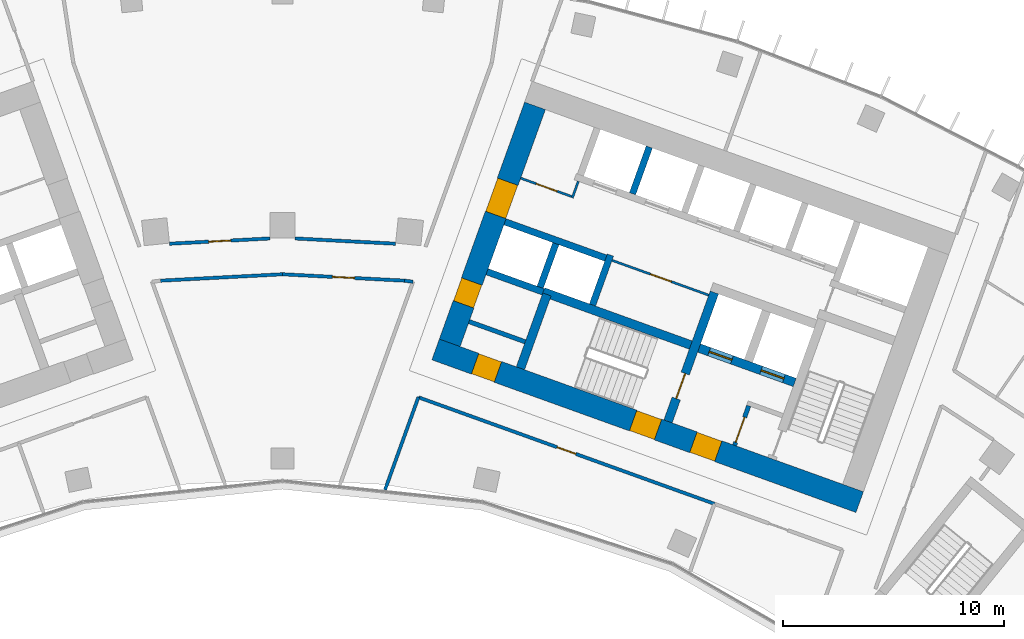
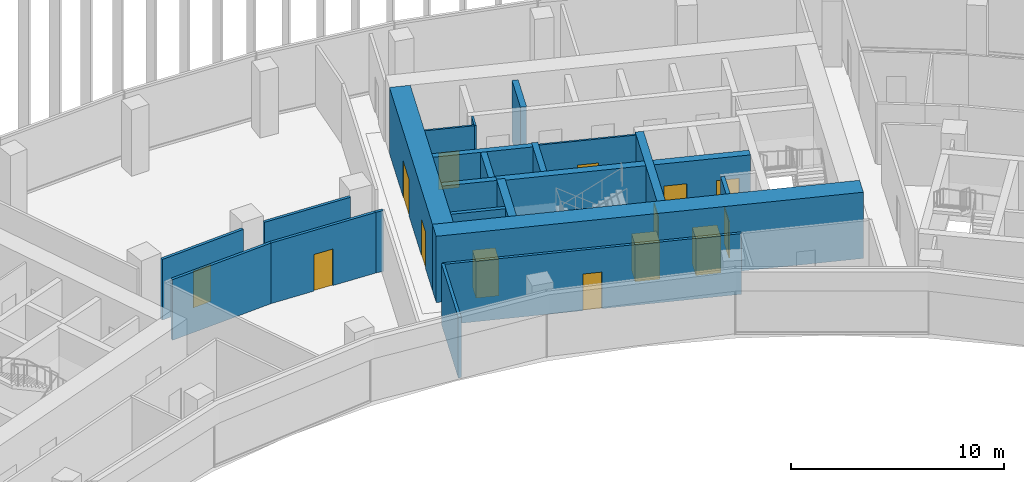
# One storey, part 15 of 19: 22 walls, 14 doors, 14 openings.
"""IFC4 building model written with IfcOpenShell, lengths in metres."""

from ifc_helpers import new_model, si_unit, direction, frame, frame_2d, origin, place, context, subcontext, project, spatial, rectangle, extrude, material, layer, layer_set, type_object, element, fill, save


model = new_model("IFC4")

# Units and contexts
model_context = context("Model", 3, precision=1e-05, world=origin(), true_north=direction((0.0, 1.0)))
body_context = subcontext(model_context, "Body", "Model", "MODEL_VIEW")
ifc_project = project(units=[si_unit("LENGTHUNIT", "METRE"), si_unit("AREAUNIT", "SQUARE_METRE"), si_unit("VOLUMEUNIT", "CUBIC_METRE"), si_unit("PLANEANGLEUNIT", "RADIAN"), si_unit("MASSUNIT", "GRAM", prefix="KILO")], contexts=[model_context])

# Site, building, storey
site_placement = place(None, origin())
site = spatial("IfcSite", under=ifc_project, at=site_placement, CompositionType="ELEMENT")
building_placement = place(site_placement, origin())
building = spatial("IfcBuilding", under=site, at=building_placement, Name="Stone Belt Terrace Tower", CompositionType="ELEMENT")
storey_placement = place(building_placement, frame((0.0, 0.0, 235.199951171875)))
storey = spatial("IfcBuildingStorey", under=building, at=storey_placement, Name="L57", CompositionType="ELEMENT", Elevation=235.199951171875)

# Wall, opening, door
ifc_material_1 = material(Name="Plasterboard partition")
ifc_layer_1 = layer(ifc_material_1, 0.10009765625)
ifc_layer_set_1 = layer_set([ifc_layer_1], Name="Core partition 100")
wall_type_1 = type_object("IfcWallType", Name="Core partition 100", PredefinedType="PARTITIONING", material=ifc_layer_set_1)
wall_1_placement = place(storey_placement, frame((19.29052734375, 51.829833984375, 0.0), z_axis=(0.0, 0.0, 1.0), x_axis=(-0.940930240745, 0.338600475563, 0.0)))
wall_1 = element("IfcWall", 1, at=wall_1_placement, inside=storey, type_object=wall_type_1, Name="Core B wall", PredefinedType="PARTITIONING", context=body_context, shape_type="SweptSolid", body=[
    extrude(rectangle(XDim=4.64990234375, YDim=0.10009765625, at=frame_2d((2.324951171875, 0.0))), origin(), (0.0, 0.0, 1.0), 3.47998046875),
])
opening_1_placement = place(wall_1_placement, frame((1.800048828125, 0.0, 0.0)))
opening_1 = element("IfcOpeningElement", 2, at=opening_1_placement, cuts=wall_1, Name="Opening L57-C13", PredefinedType="OPENING", context=body_context, shape_type="SweptSolid", body=[
    extrude(rectangle(XDim=1.0, YDim=2.10009765625, at=frame_2d((0.5, 1.050048828125))), frame((0.0, 0.06005859375, 0.0), z_axis=(0.0, -1.0, 0.0), x_axis=(1.0, 0.0, 0.0)), (0.0, 0.0, 1.0), 0.1201171875),
])
ifc_material_2 = material(Name="Timber door leaf", Category="wood")
door_type_1 = type_object("IfcDoorType", Name="Core room door 1000", OperationType="SINGLE_SWING_LEFT", PredefinedType="DOOR", material=ifc_material_2)
door_1_placement = place(opening_1_placement, origin())
door_1 = element("IfcDoor", 3, at=door_1_placement, inside=storey, type_object=door_type_1, Name="Door to Print and copy room core B", OperationType="SINGLE_SWING_RIGHT", OverallHeight=2.10009765625, OverallWidth=1.0, PredefinedType="DOOR", context=body_context, shape_type="SweptSolid", body=[
    extrude(rectangle(XDim=1.0, YDim=2.10009765625, at=frame_2d((0.5, 1.050048828125))), frame((0.0, 0.02490234375, 0.0), z_axis=(0.0, -1.0, 0.0), x_axis=(1.0, 0.0, 0.0)), (0.0, 0.0, 1.0), 0.050048828125),
])
fill(opening_1, door_1)

# Wall
wall_2_placement = place(storey_placement, frame((13.115966796875, 56.230712890625, 0.0), z_axis=(0.0, 0.0, 1.0), x_axis=(0.338481684961, 0.940972979923, 0.0)))
element("IfcWall", 4, at=wall_2_placement, inside=storey, type_object=wall_type_1, Name="Core B wall", PredefinedType="PARTITIONING", context=body_context, shape_type="SweptSolid", body=[
    extrude(rectangle(XDim=0.7998046875, YDim=0.10009765625, at=frame_2d((0.39990234375, 0.0))), origin(), (0.0, 0.0, 1.0), 3.47998046875),
])

# Wall, opening, door
wall_3_placement = place(storey_placement, frame((13.085693359375, 56.294677734375, 0.0), z_axis=(0.0, 0.0, 1.0), x_axis=(-0.940922976849, 0.338620660383, 0.0)))
wall_3 = element("IfcWall", 5, at=wall_3_placement, inside=storey, type_object=wall_type_1, Name="Core B wall", PredefinedType="PARTITIONING", context=body_context, shape_type="SweptSolid", body=[
    extrude(rectangle(XDim=2.449951171875, YDim=0.10009765625, at=frame_2d((1.22509765625, 0.0))), origin(), (0.0, 0.0, 1.0), 3.47998046875),
])
opening_2_placement = place(wall_3_placement, frame((0.699951171875, 0.0, 0.0)))
opening_2 = element("IfcOpeningElement", 6, at=opening_2_placement, cuts=wall_3, Name="Opening L57-C12", PredefinedType="OPENING", context=body_context, shape_type="SweptSolid", body=[
    extrude(rectangle(XDim=1.0, YDim=2.10009765625, at=frame_2d((0.5, 1.050048828125))), frame((0.0, 0.06005859375, 0.0), z_axis=(0.0, -1.0, 0.0), x_axis=(1.0, 0.0, 0.0)), (0.0, 0.0, 1.0), 0.1201171875),
])
door_2_placement = place(opening_2_placement, origin())
door_2 = element("IfcDoor", 7, at=door_2_placement, inside=storey, type_object=door_type_1, Name="Door to Communications hub room core B", OperationType="SINGLE_SWING_RIGHT", OverallHeight=2.10009765625, OverallWidth=1.0, PredefinedType="DOOR", context=body_context, shape_type="SweptSolid", body=[
    extrude(rectangle(XDim=1.0, YDim=2.10009765625, at=frame_2d((0.5, 1.050048828125))), frame((0.0, 0.02490234375, 0.0), z_axis=(0.0, -1.0, 0.0), x_axis=(1.0, 0.0, 0.0)), (0.0, 0.0, 1.0), 0.050048828125),
])
fill(opening_2, door_2)

# Wall, openings, doors
ifc_material_3 = material(Name="Concrete B60", Category="concrete")
ifc_layer_2 = layer(ifc_material_3, 1.0)
ifc_layer_set_2 = layer_set([ifc_layer_2], Name="Core wall 1000 B60")
wall_type_2 = type_object("IfcWallType", Name="Core wall 1000 B60", PredefinedType="SHEAR", material=ifc_layer_set_2)
wall_4_placement = place(storey_placement, frame((6.927490234375, 49.370849609375, 0.0), z_axis=(0.0, 0.0, 1.0), x_axis=(0.940921428504, -0.338624962727, 0.0)))
wall_4 = element("IfcWall", 8, at=wall_4_placement, inside=storey, type_object=wall_type_2, Name="Core B wall concave L57", PredefinedType="SHEAR", context=body_context, shape_type="SweptSolid", body=[
    extrude(rectangle(XDim=20.400146484375, YDim=1.0, at=frame_2d((10.2001953125, 0.0))), origin(), (0.0, 0.0, 1.0), 3.800048828125),
])
opening_3_placement = place(wall_4_placement, frame((12.39990234375, 0.0, 0.0)))
opening_3 = element("IfcOpeningElement", 9, at=opening_3_placement, cuts=wall_4, Name="Opening L57-C18", PredefinedType="OPENING", context=body_context, shape_type="SweptSolid", body=[
    extrude(rectangle(XDim=1.199951171875, YDim=2.10009765625, at=frame_2d((0.60009765625, 1.050048828125))), frame((0.0, 0.510009765625, 0.0), z_axis=(0.0, -1.0, 0.0), x_axis=(1.0, 0.0, 0.0)), (0.0, 0.0, 1.0), 1.02001953125),
])
opening_4_placement = place(wall_4_placement, frame((9.5, 0.0, 0.0)))
opening_4 = element("IfcOpeningElement", 10, at=opening_4_placement, cuts=wall_4, Name="Opening L57-C20", PredefinedType="OPENING", context=body_context, shape_type="SweptSolid", body=[
    extrude(rectangle(XDim=1.199951171875, YDim=2.10009765625, at=frame_2d((0.60009765625, 1.050048828125))), frame((0.0, 0.510009765625, 0.0), z_axis=(0.0, -1.0, 0.0), x_axis=(1.0, 0.0, 0.0)), (0.0, 0.0, 1.0), 1.02001953125),
])
opening_5_placement = place(wall_4_placement, frame((1.89990234375, 0.0, 0.0)))
opening_5 = element("IfcOpeningElement", 11, at=opening_5_placement, cuts=wall_4, Name="Opening L57-C22", PredefinedType="OPENING", context=body_context, shape_type="SweptSolid", body=[
    extrude(rectangle(XDim=1.10009765625, YDim=2.10009765625, at=frame_2d((0.550048828125, 1.050048828125))), frame((0.0, 0.510009765625, 0.0), z_axis=(0.0, -1.0, 0.0), x_axis=(1.0, 0.0, 0.0)), (0.0, 0.0, 1.0), 1.02001953125),
])
door_type_2 = type_object("IfcDoorType", Name="Core room door 1100", OperationType="SINGLE_SWING_LEFT", PredefinedType="DOOR", material=ifc_material_2)
door_3_placement = place(opening_5_placement, origin())
door_3 = element("IfcDoor", 12, at=door_3_placement, inside=storey, type_object=door_type_2, Name="Door to Pipe riser core B", OperationType="SINGLE_SWING_RIGHT", OverallHeight=2.10009765625, OverallWidth=1.10009765625, PredefinedType="DOOR", context=body_context, shape_type="SweptSolid", body=[
    extrude(rectangle(XDim=1.10009765625, YDim=2.10009765625, at=frame_2d((0.550048828125, 1.050048828125))), frame((0.0, 0.47998046875, 0.0), z_axis=(0.0, -1.0, 0.0), x_axis=(1.0, 0.0, 0.0)), (0.0, 0.0, 1.0), 0.9599609375),
])
fill(opening_5, door_3)
ifc_material_4 = material(Name="Steel door leaf", Category="steel")
door_type_3 = type_object("IfcDoorType", Name="Fire-fighting lobby door 1200", OperationType="SINGLE_SWING_LEFT", PredefinedType="DOOR", material=ifc_material_4)
door_4_placement = place(opening_3_placement, origin())
door_4 = element("IfcDoor", 13, at=door_4_placement, inside=storey, type_object=door_type_3, Name="Fire-fighting lobby door core B", OperationType="SINGLE_SWING_RIGHT", OverallHeight=2.10009765625, OverallWidth=1.199951171875, PredefinedType="DOOR", context=body_context, shape_type="SweptSolid", body=[
    extrude(rectangle(XDim=1.199951171875, YDim=2.10009765625, at=frame_2d((0.60009765625, 1.050048828125))), frame((0.0, 0.47998046875, 0.0), z_axis=(0.0, -1.0, 0.0), x_axis=(1.0, 0.0, 0.0)), (0.0, 0.0, 1.0), 0.9599609375),
])
fill(opening_3, door_4)
door_type_4 = type_object("IfcDoorType", Name="Stair door 1200", OperationType="SINGLE_SWING_LEFT", PredefinedType="DOOR", material=ifc_material_4)
door_5_placement = place(opening_4_placement, origin())
door_5 = element("IfcDoor", 14, at=door_5_placement, inside=storey, type_object=door_type_4, Name="Stair 2 exit door core B", OperationType="SINGLE_SWING_LEFT", OverallHeight=2.10009765625, OverallWidth=1.199951171875, PredefinedType="DOOR", context=body_context, shape_type="SweptSolid", body=[
    extrude(rectangle(XDim=1.199951171875, YDim=2.10009765625, at=frame_2d((0.60009765625, 1.050048828125))), frame((0.0, 0.47998046875, 0.0), z_axis=(0.0, -1.0, 0.0), x_axis=(1.0, 0.0, 0.0)), (0.0, 0.0, 1.0), 0.9599609375),
])
fill(opening_4, door_5)

wall_5_placement = place(storey_placement, frame((7.567138671875, 49.672119140625, 0.0), z_axis=(0.0, 0.0, 1.0), x_axis=(0.338625431531, 0.940921259788, 0.0)))
wall_5 = element("IfcWall", 15, at=wall_5_placement, inside=storey, type_object=wall_type_2, Name="Core B wall end_a L57", PredefinedType="SHEAR", context=body_context, shape_type="SweptSolid", body=[
    extrude(rectangle(XDim=11.400146484375, YDim=1.0, at=frame_2d((5.7001953125, 0.0))), origin(), (0.0, 0.0, 1.0), 3.800048828125),
])
opening_6_placement = place(wall_5_placement, frame((6.14990234375, 0.0, 0.0)))
opening_6 = element("IfcOpeningElement", 16, at=opening_6_placement, cuts=wall_5, Name="Opening L57-C15", PredefinedType="OPENING", context=body_context, shape_type="SweptSolid", body=[
    extrude(rectangle(XDim=1.60009765625, YDim=2.10009765625, at=frame_2d((0.800048828125, 1.050048828125))), frame((0.0, 0.510009765625, 0.0), z_axis=(0.0, -1.0, 0.0), x_axis=(1.0, 0.0, 0.0)), (0.0, 0.0, 1.0), 1.02001953125),
])
opening_7_placement = place(wall_5_placement, frame((1.85009765625, 0.0, 0.0)))
opening_7 = element("IfcOpeningElement", 17, at=opening_7_placement, cuts=wall_5, Name="Opening L57-C21", PredefinedType="OPENING", context=body_context, shape_type="SweptSolid", body=[
    extrude(rectangle(XDim=1.10009765625, YDim=2.10009765625, at=frame_2d((0.550048828125, 1.050048828125))), frame((0.0, 0.510009765625, 0.0), z_axis=(0.0, -1.0, 0.0), x_axis=(1.0, 0.0, 0.0)), (0.0, 0.0, 1.0), 1.02001953125),
])
door_6_placement = place(opening_7_placement, origin())
door_6 = element("IfcDoor", 18, at=door_6_placement, inside=storey, type_object=door_type_2, Name="Door to Accessible WC core B", OperationType="SINGLE_SWING_LEFT", OverallHeight=2.10009765625, OverallWidth=1.10009765625, PredefinedType="DOOR", context=body_context, shape_type="SweptSolid", body=[
    extrude(rectangle(XDim=1.10009765625, YDim=2.10009765625, at=frame_2d((0.550048828125, 1.050048828125))), frame((0.0, 0.47998046875, 0.0), z_axis=(0.0, -1.0, 0.0), x_axis=(1.0, 0.0, 0.0)), (0.0, 0.0, 1.0), 0.9599609375),
])
fill(opening_7, door_6)
ifc_material_5 = material(Name="Glazed aluminium door leaf", Category="aluminium")
door_type_5 = type_object("IfcDoorType", Name="Lift lobby entrance door 1600", OperationType="DOUBLE_DOOR_SINGLE_SWING", PredefinedType="DOOR", material=ifc_material_5)
door_7_placement = place(opening_6_placement, origin())
door_7 = element("IfcDoor", 19, at=door_7_placement, inside=storey, type_object=door_type_5, Name="Lift lobby entrance door core B", OperationType="DOUBLE_DOOR_SINGLE_SWING", OverallHeight=2.10009765625, OverallWidth=1.60009765625, PredefinedType="DOOR", context=body_context, shape_type="SweptSolid", body=[
    extrude(rectangle(XDim=1.60009765625, YDim=2.10009765625, at=frame_2d((0.800048828125, 1.050048828125))), frame((0.0, 0.47998046875, 0.0), z_axis=(0.0, -1.0, 0.0), x_axis=(1.0, 0.0, 0.0)), (0.0, 0.0, 1.0), 0.9599609375),
])
fill(opening_6, door_7)

# Walls
ifc_material_6 = material(Name="Concrete B80", Category="concrete")
ifc_layer_3 = layer(ifc_material_6, 0.300048828125)
ifc_layer_set_3 = layer_set([ifc_layer_3], Name="Lift shaft wall 300")
wall_type_3 = type_object("IfcWallType", Name="Lift shaft wall 300", PredefinedType="SHEAR", material=ifc_layer_set_3)
wall_6_placement = place(storey_placement, frame((14.029052734375, 51.38525390625, 0.0), z_axis=(0.0, 0.0, 1.0), x_axis=(0.338661829791, 0.940908159728, 0.0)))
element("IfcWall", 20, at=wall_6_placement, inside=storey, type_object=wall_type_3, Name="Core B wall", PredefinedType="SHEAR", context=body_context, shape_type="SweptSolid", body=[
    extrude(rectangle(XDim=2.39990234375, YDim=0.300048828125, at=frame_2d((1.199951171875, 0.0))), origin(), (0.0, 0.0, 1.0), 3.47998046875),
])
wall_7_placement = place(storey_placement, frame((14.6328125, 53.506103515625, 0.0), z_axis=(0.0, 0.0, 1.0), x_axis=(-0.940931684323, 0.338596464007, 0.0)))
element("IfcWall", 21, at=wall_7_placement, inside=storey, type_object=wall_type_3, Name="Core B wall", PredefinedType="SHEAR", context=body_context, shape_type="SweptSolid", body=[
    extrude(rectangle(XDim=4.849609375, YDim=0.300048828125, at=frame_2d((2.4248046875, 0.0))), origin(), (0.0, 0.0, 1.0), 3.47998046875),
])
wall_8_placement = place(storey_placement, frame((15.8408203125, 56.419189453125, 0.0), z_axis=(0.0, 0.0, 1.0), x_axis=(0.338569601369, 0.940941350472, 0.0)))
element("IfcWall", 22, at=wall_8_placement, inside=storey, type_object=wall_type_3, Name="Core B wall", PredefinedType="SHEAR", context=body_context, shape_type="SweptSolid", body=[
    extrude(rectangle(XDim=2.249755859375, YDim=0.300048828125, at=frame_2d((1.125, 0.0))), origin(), (0.0, 0.0, 1.0), 3.47998046875),
])
wall_9_placement = place(storey_placement, frame((11.797119140625, 51.975830078125, 0.0), z_axis=(0.0, 0.0, 1.0), x_axis=(-0.940910465161, 0.33865542451, 0.0)))
element("IfcWall", 23, at=wall_9_placement, inside=storey, type_object=wall_type_3, Name="Core B wall", PredefinedType="SHEAR", context=body_context, shape_type="SweptSolid", body=[
    extrude(rectangle(XDim=2.69970703125, YDim=0.300048828125, at=frame_2d((1.349853515625, 0.0))), origin(), (0.0, 0.0, 1.0), 3.47998046875),
])
wall_10_placement = place(storey_placement, frame((11.659912109375, 52.184814453125, 0.0), z_axis=(0.0, 0.0, 1.0), x_axis=(0.338670064856, 0.940905195634, 0.0)))
element("IfcWall", 24, at=wall_10_placement, inside=storey, type_object=wall_type_3, Name="Core B wall", PredefinedType="SHEAR", context=body_context, shape_type="SweptSolid", body=[
    extrude(rectangle(XDim=2.099853515625, YDim=0.300048828125, at=frame_2d((1.0498046875, 0.0))), origin(), (0.0, 0.0, 1.0), 3.47998046875),
])
ifc_material_7 = material(Name="Gypsum board partition")
ifc_layer_4 = layer(ifc_material_7, 0.14990234375)
ifc_layer_set_4 = layer_set([ifc_layer_4], Name="PARTITION 150 EI 60")
wall_type_4 = type_object("IfcWallType", Name="PARTITION 150 EI 60", PredefinedType="PARTITIONING", material=ifc_layer_set_4)
wall_11_placement = place(storey_placement, frame((6.14990234375, 47.212890625, 0.0), z_axis=(0.0, 0.0, 1.0), x_axis=(-0.338583902482, -0.940936204522, 0.0)))
element("IfcWall", 25, at=wall_11_placement, inside=storey, type_object=wall_type_4, Name="L57/wall/i016", PredefinedType="PARTITIONING", context=body_context, shape_type="SweptSolid", body=[
    extrude(rectangle(XDim=4.464111328125, YDim=0.14990234375, at=frame_2d((2.23193359375, 0.0))), origin(), (0.0, 0.0, 1.0), 3.47998046875),
])

# Wall, opening, door
wall_12_placement = place(storey_placement, frame((19.552978515625, 42.383056640625, 0.0), z_axis=(0.0, 0.0, 1.0), x_axis=(-0.940920615009, 0.338627223138, 0.0)))
wall_12 = element("IfcWall", 26, at=wall_12_placement, inside=storey, type_object=wall_type_4, Name="L57/wall/i028", PredefinedType="PARTITIONING", context=body_context, shape_type="SweptSolid", body=[
    extrude(rectangle(XDim=14.24560546875, YDim=0.14990234375, at=frame_2d((7.122802734375, 0.0))), origin(), (0.0, 0.0, 1.0), 3.47998046875),
])
opening_8_placement = place(wall_12_placement, frame((6.6728515625, 0.0, 0.0)))
opening_8 = element("IfcOpeningElement", 27, at=opening_8_placement, cuts=wall_12, Name="Opening D-D4-05", PredefinedType="OPENING", context=body_context, shape_type="SweptSolid", body=[
    extrude(rectangle(XDim=0.89990234375, YDim=2.10009765625, at=frame_2d((0.449951171875, 1.050048828125))), frame((0.0, 0.0849609375, 0.0), z_axis=(0.0, -1.0, 0.0), x_axis=(1.0, 0.0, 0.0)), (0.0, 0.0, 1.0), 0.169921875),
])
door_type_6 = type_object("IfcDoorType", Name="OFFICE DOOR 900 X 2100", OperationType="NOTDEFINED", PredefinedType="DOOR", material=ifc_material_2)
door_8_placement = place(opening_8_placement, origin())
door_8 = element("IfcDoor", 28, at=door_8_placement, inside=storey, type_object=door_type_6, Name="L57/door/i05", OperationType="SINGLE_SWING_RIGHT", OverallHeight=2.10009765625, OverallWidth=0.89990234375, PredefinedType="DOOR", context=body_context, shape_type="SweptSolid", body=[
    extrude(rectangle(XDim=0.89990234375, YDim=2.10009765625, at=frame_2d((0.449951171875, 1.050048828125))), frame((0.0, 0.02490234375, 0.0), z_axis=(0.0, -1.0, 0.0), x_axis=(1.0, 0.0, 0.0)), (0.0, 0.0, 1.0), 0.050048828125),
])
fill(opening_8, door_8)

# Wall
wall_13_placement = place(storey_placement, frame((5.904052734375, 52.43603515625, 0.0), z_axis=(0.0, 0.0, 1.0), x_axis=(-0.991780421826, 0.127951533338, 0.0)))
element("IfcWall", 29, at=wall_13_placement, inside=storey, type_object=wall_type_4, Name="L57/wall/i066", PredefinedType="PARTITIONING", context=body_context, shape_type="SweptSolid", body=[
    extrude(rectangle(XDim=0.39111328125, YDim=0.14990234375, at=frame_2d((0.195556640625, 0.0))), origin(), (0.0, 0.0, 1.0), 3.47998046875),
])

# Wall, opening, door
wall_14_placement = place(storey_placement, frame((5.51611328125, 52.486083984375, 0.0), z_axis=(0.0, 0.0, 1.0), x_axis=(-0.998632077757, 0.052287410285, 0.0)))
wall_14 = element("IfcWall", 30, at=wall_14_placement, inside=storey, type_object=wall_type_4, Name="L57/wall/i067", PredefinedType="PARTITIONING", context=body_context, shape_type="SweptSolid", body=[
    extrude(rectangle(XDim=5.523681640625, YDim=0.14990234375, at=frame_2d((2.76171875, 0.0))), origin(), (0.0, 0.0, 1.0), 3.47998046875),
])
opening_9_placement = place(wall_14_placement, frame((2.26171875, 0.0, 0.0)))
opening_9 = element("IfcOpeningElement", 31, at=opening_9_placement, cuts=wall_14, Name="Opening D-D4-23", PredefinedType="OPENING", context=body_context, shape_type="SweptSolid", body=[
    extrude(rectangle(XDim=1.0, YDim=2.10009765625, at=frame_2d((0.5, 1.050048828125))), frame((0.0, 0.0849609375, 0.0), z_axis=(0.0, -1.0, 0.0), x_axis=(1.0, 0.0, 0.0)), (0.0, 0.0, 1.0), 0.169921875),
])
ifc_material_8 = material(Name="Timber fire door leaf", Category="wood")
door_type_7 = type_object("IfcDoorType", Name="TENANCY ENTRANCE DOOR 1000 X 2100", OperationType="NOTDEFINED", PredefinedType="DOOR", material=ifc_material_8)
door_9_placement = place(opening_9_placement, origin())
door_9 = element("IfcDoor", 32, at=door_9_placement, inside=storey, type_object=door_type_7, Name="L57/door/i23", OperationType="SINGLE_SWING_RIGHT", OverallHeight=2.10009765625, OverallWidth=1.0, PredefinedType="DOOR", context=body_context, shape_type="SweptSolid", body=[
    extrude(rectangle(XDim=1.0, YDim=2.10009765625, at=frame_2d((0.5, 1.050048828125))), frame((0.0, 0.02490234375, 0.0), z_axis=(0.0, -1.0, 0.0), x_axis=(1.0, 0.0, 0.0)), (0.0, 0.0, 1.0), 0.050048828125),
])
fill(opening_9, door_9)

# Wall
wall_15_placement = place(storey_placement, frame((0.0, 52.77490234375, 0.0), z_axis=(0.0, 0.0, 1.0), x_axis=(-0.998632077757, -0.052287410285, 0.0)))
element("IfcWall", 33, at=wall_15_placement, inside=storey, type_object=wall_type_4, Name="L57/wall/i068", PredefinedType="PARTITIONING", context=body_context, shape_type="SweptSolid", body=[
    extrude(rectangle(XDim=5.523681640625, YDim=0.14990234375, at=frame_2d((2.76171875, 0.0))), origin(), (0.0, 0.0, 1.0), 3.47998046875),
])

# Wall, opening, door
wall_16_placement = place(storey_placement, frame((-5.114013671875, 54.1572265625, 0.0), z_axis=(0.0, 0.0, 1.0), x_axis=(0.998631882583, 0.052291137769, 0.0)))
wall_16 = element("IfcWall", 34, at=wall_16_placement, inside=storey, type_object=wall_type_4, Name="L57/wall/i070", PredefinedType="PARTITIONING", context=body_context, shape_type="SweptSolid", body=[
    extrude(rectangle(XDim=4.54736328125, YDim=0.14990234375, at=frame_2d((2.273681640625, 0.0))), origin(), (0.0, 0.0, 1.0), 3.47998046875),
])
opening_10_placement = place(wall_16_placement, frame((1.773681640625, 0.0, 0.0)))
opening_10 = element("IfcOpeningElement", 35, at=opening_10_placement, cuts=wall_16, Name="Opening D-D4-24", PredefinedType="OPENING", context=body_context, shape_type="SweptSolid", body=[
    extrude(rectangle(XDim=1.0, YDim=2.10009765625, at=frame_2d((0.5, 1.050048828125))), frame((0.0, 0.0849609375, 0.0), z_axis=(0.0, -1.0, 0.0), x_axis=(1.0, 0.0, 0.0)), (0.0, 0.0, 1.0), 0.169921875),
])
door_10_placement = place(opening_10_placement, origin())
door_10 = element("IfcDoor", 36, at=door_10_placement, inside=storey, type_object=door_type_7, Name="L57/door/i24", OperationType="SINGLE_SWING_RIGHT", OverallHeight=2.10009765625, OverallWidth=1.0, PredefinedType="DOOR", context=body_context, shape_type="SweptSolid", body=[
    extrude(rectangle(XDim=1.0, YDim=2.10009765625, at=frame_2d((0.5, 1.050048828125))), frame((0.0, 0.02490234375, 0.0), z_axis=(0.0, -1.0, 0.0), x_axis=(1.0, 0.0, 0.0)), (0.0, 0.0, 1.0), 0.050048828125),
])
fill(opening_10, door_10)

# Wall
wall_17_placement = place(storey_placement, frame((0.57275390625, 54.39501953125, 0.0), z_axis=(0.0, 0.0, 1.0), x_axis=(0.998631882583, -0.052291137769, 0.0)))
element("IfcWall", 37, at=wall_17_placement, inside=storey, type_object=wall_type_4, Name="L57/wall/i071", PredefinedType="PARTITIONING", context=body_context, shape_type="SweptSolid", body=[
    extrude(rectangle(XDim=4.54736328125, YDim=0.14990234375, at=frame_2d((2.273681640625, 0.0))), origin(), (0.0, 0.0, 1.0), 3.47998046875),
])

# Wall, opening, door
ifc_material_9 = material(Name="Concrete masonry block", Category="masonry")
ifc_layer_5 = layer(ifc_material_9, 0.199951171875)
ifc_layer_set_5 = layer_set([ifc_layer_5], Name="Rated lobby wall 200")
wall_type_5 = type_object("IfcWallType", Name="Rated lobby wall 200", PredefinedType="PARTITIONING", material=ifc_layer_set_5)
wall_18_placement = place(storey_placement, frame((20.4580078125, 45.032958984375, 0.0), z_axis=(0.0, 0.0, 1.0), x_axis=(0.338573865316, 0.940939816208, 0.0)))
wall_18 = element("IfcWall", 38, at=wall_18_placement, inside=storey, type_object=wall_type_5, Name="Core B wall", PredefinedType="PARTITIONING", context=body_context, shape_type="SweptSolid", body=[
    extrude(rectangle(XDim=1.900146484375, YDim=0.199951171875, at=frame_2d((0.9501953125, 0.0))), origin(), (0.0, 0.0, 1.0), 3.47998046875),
])
opening_11_placement = place(wall_18_placement, frame((0.14990234375, 0.0, 0.0)))
opening_11 = element("IfcOpeningElement", 39, at=opening_11_placement, cuts=wall_18, Name="Opening L57-C17", PredefinedType="OPENING", context=body_context, shape_type="SweptSolid", body=[
    extrude(rectangle(XDim=1.199951171875, YDim=2.10009765625, at=frame_2d((0.60009765625, 1.050048828125))), frame((0.0, 0.10986328125, 0.0), z_axis=(0.0, -1.0, 0.0), x_axis=(1.0, 0.0, 0.0)), (0.0, 0.0, 1.0), 0.219970703125),
])
door_11_placement = place(opening_11_placement, origin())
door_11 = element("IfcDoor", 40, at=door_11_placement, inside=storey, type_object=door_type_4, Name="Stair airlock door core B", OperationType="SINGLE_SWING_RIGHT", OverallHeight=2.10009765625, OverallWidth=1.199951171875, PredefinedType="DOOR", context=body_context, shape_type="SweptSolid", body=[
    extrude(rectangle(XDim=1.199951171875, YDim=2.10009765625, at=frame_2d((0.60009765625, 1.050048828125))), frame((0.0, 0.02490234375, 0.0), z_axis=(0.0, -1.0, 0.0), x_axis=(1.0, 0.0, 0.0)), (0.0, 0.0, 1.0), 0.050048828125),
])
fill(opening_11, door_11)

# Wall
wall_19_placement = place(storey_placement, frame((10.984619140625, 49.717529296875, 0.0), z_axis=(0.0, 0.0, 1.0), x_axis=(-0.940920834877, 0.338626612206, 0.0)))
element("IfcWall", 41, at=wall_19_placement, inside=storey, type_object=wall_type_5, Name="Core B wall", PredefinedType="PARTITIONING", context=body_context, shape_type="SweptSolid", body=[
    extrude(rectangle(XDim=2.699951171875, YDim=0.199951171875, at=frame_2d((1.35009765625, 0.0))), origin(), (0.0, 0.0, 1.0), 3.47998046875),
])

# Wall, openings, doors
ifc_layer_6 = layer(ifc_material_6, 0.39990234375)
ifc_layer_set_6 = layer_set([ifc_layer_6], Name="Stair enclosure wall 400")
wall_type_6 = type_object("IfcWallType", Name="Stair enclosure wall 400", PredefinedType="SHEAR", material=ifc_layer_set_6)
wall_20_placement = place(storey_placement, frame((23.182373046875, 47.87841796875, 0.0), z_axis=(0.0, 0.0, 1.0), x_axis=(-0.940921101762, 0.338625870628, 0.0)))
wall_20 = element("IfcWall", 42, at=wall_20_placement, inside=storey, type_object=wall_type_6, Name="Core B wall", PredefinedType="SHEAR", context=body_context, shape_type="SweptSolid", body=[
    extrude(rectangle(XDim=12.10009765625, YDim=0.39990234375, at=frame_2d((6.050048828125, 0.0))), origin(), (0.0, 0.0, 1.0), 3.47998046875),
])
opening_12_placement = place(wall_20_placement, frame((0.52001953125, 0.0, 0.0)))
opening_12 = element("IfcOpeningElement", 43, at=opening_12_placement, cuts=wall_20, Name="Opening L57-LD14", PredefinedType="OPENING", context=body_context, shape_type="SweptSolid", body=[
    extrude(rectangle(XDim=1.10009765625, YDim=2.199951171875, at=frame_2d((0.550048828125, 1.10009765625))), frame((0.0, 0.2099609375, 0.0), z_axis=(0.0, -1.0, 0.0), x_axis=(1.0, 0.0, 0.0)), (0.0, 0.0, 1.0), 0.419921875),
])
opening_13_placement = place(wall_20_placement, frame((3.02001953125, 0.0, 0.0)))
opening_13 = element("IfcOpeningElement", 44, at=opening_13_placement, cuts=wall_20, Name="Opening L57-LD15", PredefinedType="OPENING", context=body_context, shape_type="SweptSolid", body=[
    extrude(rectangle(XDim=1.10009765625, YDim=2.199951171875, at=frame_2d((0.550048828125, 1.10009765625))), frame((0.0, 0.2099609375, 0.0), z_axis=(0.0, -1.0, 0.0), x_axis=(1.0, 0.0, 0.0)), (0.0, 0.0, 1.0), 0.419921875),
])
ifc_material_10 = material(Name="Stainless steel door leaf", Category="steel")
door_type_8 = type_object("IfcDoorType", Name="Landing door 1100", OperationType="SLIDING_TO_LEFT", PredefinedType="DOOR", material=ifc_material_10)
door_12_placement = place(opening_12_placement, origin())
door_12 = element("IfcDoor", 45, at=door_12_placement, inside=storey, type_object=door_type_8, Name="Landing door FF1 core B", OperationType="SLIDING_TO_LEFT", OverallHeight=2.199951171875, OverallWidth=1.10009765625, PredefinedType="DOOR", context=body_context, shape_type="SweptSolid", body=[
    extrude(rectangle(XDim=1.10009765625, YDim=2.199951171875, at=frame_2d((0.550048828125, 1.10009765625))), frame((0.0, 0.02490234375, 0.0), z_axis=(0.0, -1.0, 0.0), x_axis=(1.0, 0.0, 0.0)), (0.0, 0.0, 1.0), 0.050048828125),
])
fill(opening_12, door_12)
door_13_placement = place(opening_13_placement, origin())
door_13 = element("IfcDoor", 46, at=door_13_placement, inside=storey, type_object=door_type_8, Name="Landing door FF2 core B", OperationType="SLIDING_TO_LEFT", OverallHeight=2.199951171875, OverallWidth=1.10009765625, PredefinedType="DOOR", context=body_context, shape_type="SweptSolid", body=[
    extrude(rectangle(XDim=1.10009765625, YDim=2.199951171875, at=frame_2d((0.550048828125, 1.10009765625))), frame((0.0, 0.02490234375, 0.0), z_axis=(0.0, -1.0, 0.0), x_axis=(1.0, 0.0, 0.0)), (0.0, 0.0, 1.0), 0.050048828125),
])
fill(opening_13, door_13)

# Wall, opening, door
wall_21_placement = place(storey_placement, frame((17.447021484375, 46.116455078125, 0.0), z_axis=(0.0, 0.0, 1.0), x_axis=(0.33860791464, 0.940927563707, 0.0)))
wall_21 = element("IfcWall", 47, at=wall_21_placement, inside=storey, type_object=wall_type_6, Name="Core B wall", PredefinedType="SHEAR", context=body_context, shape_type="SweptSolid", body=[
    extrude(rectangle(XDim=6.199951171875, YDim=0.39990234375, at=frame_2d((3.10009765625, 0.0))), origin(), (0.0, 0.0, 1.0), 3.47998046875),
])
opening_14_placement = place(wall_21_placement, frame((1.10009765625, 0.0, 0.0)))
opening_14 = element("IfcOpeningElement", 48, at=opening_14_placement, cuts=wall_21, Name="Opening L57-C19", PredefinedType="OPENING", context=body_context, shape_type="SweptSolid", body=[
    extrude(rectangle(XDim=1.199951171875, YDim=2.10009765625, at=frame_2d((0.60009765625, 1.050048828125))), frame((0.0, 0.2099609375, 0.0), z_axis=(0.0, -1.0, 0.0), x_axis=(1.0, 0.0, 0.0)), (0.0, 0.0, 1.0), 0.419921875),
])
door_14_placement = place(opening_14_placement, origin())
door_14 = element("IfcDoor", 49, at=door_14_placement, inside=storey, type_object=door_type_4, Name="Stair 2 door core B", OperationType="SINGLE_SWING_RIGHT", OverallHeight=2.10009765625, OverallWidth=1.199951171875, PredefinedType="DOOR", context=body_context, shape_type="SweptSolid", body=[
    extrude(rectangle(XDim=1.199951171875, YDim=2.10009765625, at=frame_2d((0.60009765625, 1.050048828125))), frame((0.0, 0.02490234375, 0.0), z_axis=(0.0, -1.0, 0.0), x_axis=(1.0, 0.0, 0.0)), (0.0, 0.0, 1.0), 0.050048828125),
])
fill(opening_14, door_14)

# Wall
wall_22_placement = place(storey_placement, frame((10.766357421875, 48.520751953125, 0.0), z_axis=(0.0, 0.0, 1.0), x_axis=(0.338626928157, 0.94092072117, 0.0)))
element("IfcWall", 50, at=wall_22_placement, inside=storey, type_object=wall_type_6, Name="Core B wall", PredefinedType="SHEAR", context=body_context, shape_type="SweptSolid", body=[
    extrude(rectangle(XDim=3.550048828125, YDim=0.39990234375, at=frame_2d((1.77490234375, 0.0))), origin(), (0.0, 0.0, 1.0), 3.47998046875),
])

save(model, "model.ifc")
